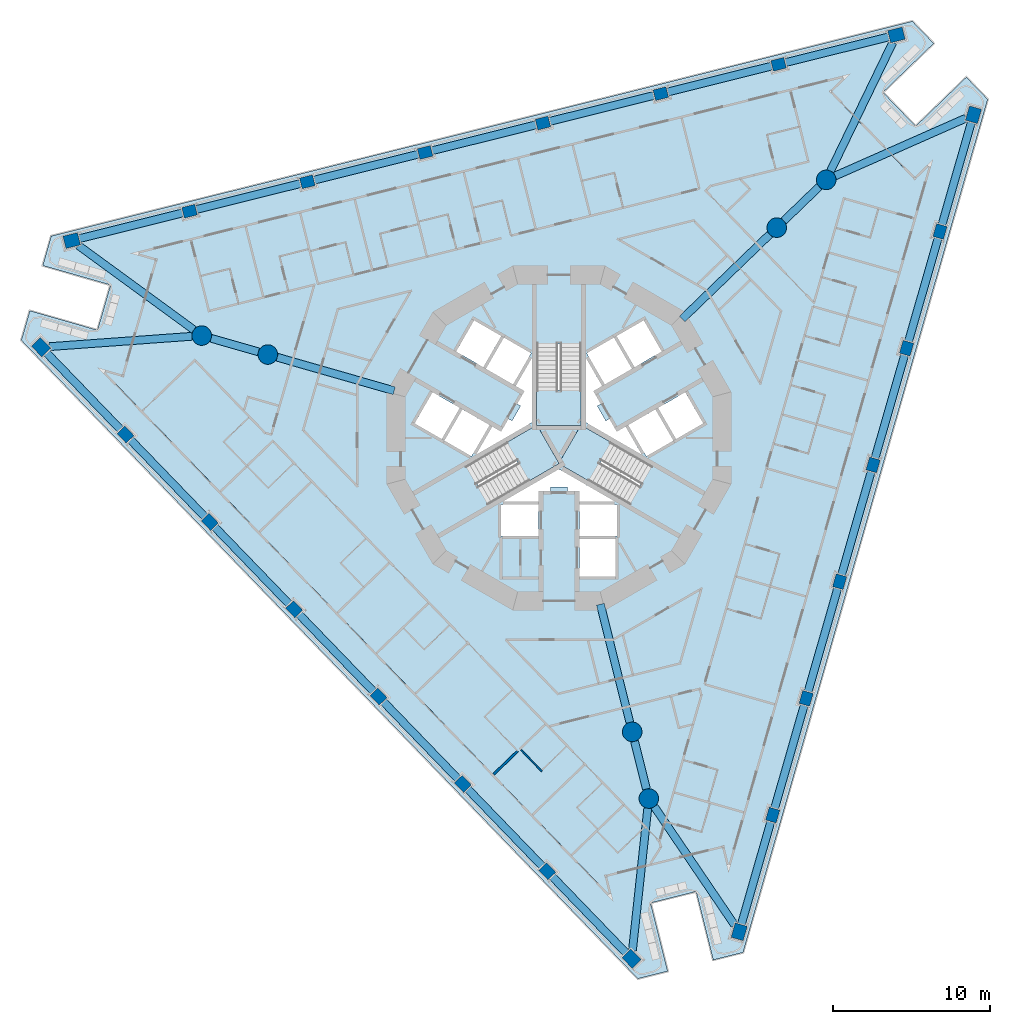
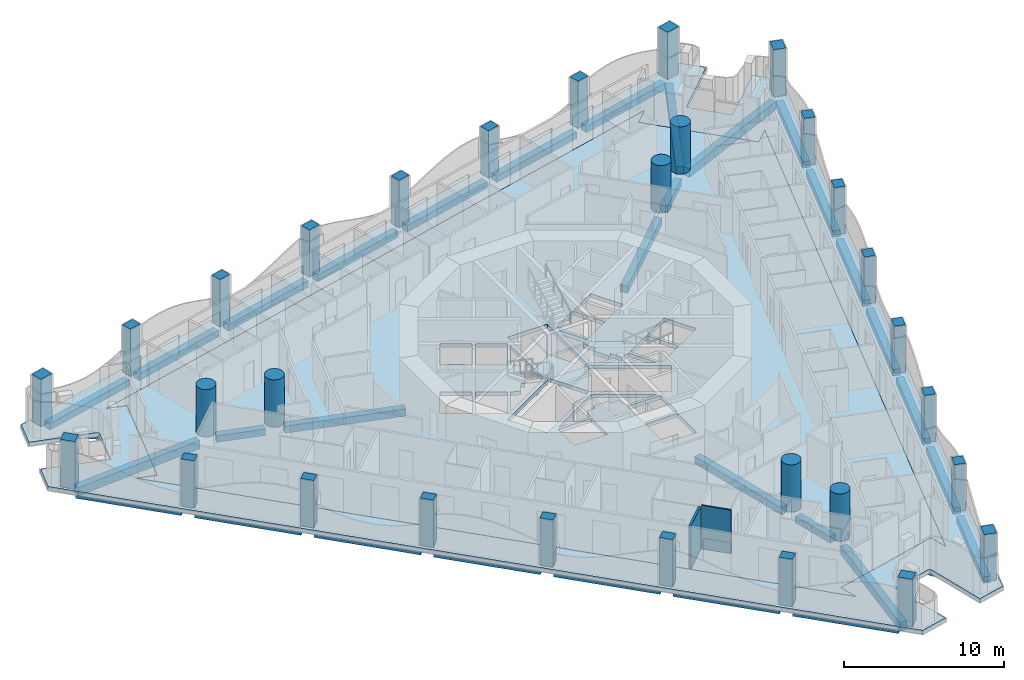
# One storey, part 1 of 20: 33 beams, 30 columns, 6 slabs, 2 walls, 3 elements without a shape of their own.
"""IFC4 building model written with IfcOpenShell, lengths in metres."""

from ifc_helpers import new_model, si_unit, direction, frame, frame_2d, origin, origin_2d, place, context, subcontext, project, spatial, polyline, rectangle, circle, outline, extrude, material, layer, layer_set, material_profile, profile_set, type_object, element, aggregate, save


model = new_model("IFC4")

# Units and contexts
model_context = context("Model", 3, precision=1e-05, world=origin(), true_north=direction((0.0, 1.0)))
body_context = subcontext(model_context, "Body", "Model", "MODEL_VIEW")
ifc_project = project(units=[si_unit("LENGTHUNIT", "METRE"), si_unit("AREAUNIT", "SQUARE_METRE"), si_unit("VOLUMEUNIT", "CUBIC_METRE"), si_unit("PLANEANGLEUNIT", "RADIAN"), si_unit("MASSUNIT", "GRAM", prefix="KILO")], contexts=[model_context])

# Site, building, storey
site_placement = place(None, origin())
site = spatial("IfcSite", under=ifc_project, at=site_placement, CompositionType="ELEMENT")
building_placement = place(site_placement, origin())
building = spatial("IfcBuilding", under=site, at=building_placement, Name="Trine Commons Tower", CompositionType="ELEMENT")
storey_placement = place(building_placement, frame((0.0, 0.0, 108.89990234375)))
storey = spatial("IfcBuildingStorey", under=building, at=storey_placement, Name="L27", CompositionType="ELEMENT", Elevation=108.89990234375)

# Columns
ifc_material_1 = material(Name="Concrete C70/85", Category="concrete")
ifc_material_profile_1 = material_profile(ifc_material_1, rectangle(XDim=0.85009765625, YDim=0.699951171875, at=origin_2d()), Name="RC 850x700")
ifc_profile_set_1 = profile_set([ifc_material_profile_1], Name="Concrete C70/85")
column_type_1 = type_object("IfcColumnType", Name="RC column 850x700, C70/85", PredefinedType="COLUMN", material=ifc_profile_set_1)
for number, where, z_axis, x_axis, name in (
    (1, (79.251708984375, 34.81640625, 0.0), (0.0, 0.0, 1.0), (-0.694658370459, 0.719339800339, 0.0), "Column PC3-02 L27"),
    (2, (73.86279296875, 40.396728515625, 0.0), (0.0, 0.0, 1.0), (-0.694658370459, 0.719339800339, 0.0), "Column PC3-03 L27"),
    (3, (68.473876953125, 45.977294921875, 0.0), (0.0, 0.0, 1.0), (-0.694658370459, 0.719339800339, 0.0), "Column PC3-04 L27"),
    (4, (63.0849609375, 51.5576171875, 0.0), (0.0, 0.0, 1.0), (-0.694658370459, 0.719339800339, 0.0), "Column PC3-05 L27"),
    (5, (57.696044921875, 57.137939453125, 0.0), (0.0, 0.0, 1.0), (-0.694658370459, 0.719339800339, 0.0), "Column PC3-06 L27"),
    (6, (52.30712890625, 62.71826171875, 0.0), (0.0, 0.0, 1.0), (-0.694658370459, 0.719339800339, 0.0), "Column PC3-07 L27"),
    (7, (56.3994140625, 76.98974609375, 0.0), (0.0, 0.0, 1.0), (0.970295726276, 0.2419218956, 0.0), "Column PC3-10 L27"),
    (8, (63.926513671875, 78.86669921875, 0.0), (0.0, 0.0, 1.0), (0.970295726276, 0.2419218956, 0.0), "Column PC3-11 L27"),
    (9, (71.453857421875, 80.743408203125, 0.0), (0.0, 0.0, 1.0), (0.970295726276, 0.2419218956, 0.0), "Column PC3-12 L27"),
    (10, (78.981201171875, 82.6201171875, 0.0), (0.0, 0.0, 1.0), (0.970295726276, 0.2419218956, 0.0), "Column PC3-13 L27"),
    (11, (86.50830078125, 84.496826171875, 0.0), (0.0, 0.0, 1.0), (0.970295726276, 0.2419218956, 0.0), "Column PC3-14 L27"),
    (12, (94.035400390625, 86.37353515625, 0.0), (0.0, 0.0, 1.0), (0.970295726276, 0.2419218956, 0.0), "Column PC3-15 L27"),
    (13, (104.348876953125, 75.69384765625, 0.0), (0.0, 0.0, 1.0), (0.275637355817, 0.961261695938, 0.0), "Column PC3-18 L27"),
    (14, (102.210693359375, 68.23681640625, 0.0), (0.0, 0.0, 1.0), (0.275637355817, 0.961261695938, 0.0), "Column PC3-19 L27"),
    (15, (100.072265625, 60.779541015625, 0.0), (0.0, 0.0, 1.0), (0.275637355817, 0.961261695938, 0.0), "Column PC3-20 L27"),
    (16, (97.93408203125, 53.322509765625, 0.0), (0.0, 0.0, 1.0), (0.275637355817, 0.961261695938, 0.0), "Column PC3-21 L27"),
    (17, (95.795654296875, 45.865234375, 0.0), (0.0, 0.0, 1.0), (0.275637355817, 0.961261695938, 0.0), "Column PC3-22 L27"),
    (18, (93.657470703125, 38.408203125, 0.0), (0.0, 0.0, 1.0), (0.275637355817, 0.961261695938, 0.0), "Column PC3-23 L27"),
):
    element("IfcColumn", number, at=place(storey_placement, frame(where, z_axis=z_axis, x_axis=x_axis)), inside=storey, type_object=column_type_1, Name=name, PredefinedType="COLUMN", context=body_context, shape_type="SweptSolid", body=[
        extrude(rectangle(XDim=0.85009765625, YDim=0.699951171875, at=origin_2d()), origin(), (0.0, 0.0, 1.0), 3.60009765625),
    ])
ifc_material_profile_2 = material_profile(ifc_material_1, rectangle(XDim=0.949951171875, YDim=0.800048828125, at=origin_2d()), Name="RC 950x800")
ifc_profile_set_2 = profile_set([ifc_material_profile_2], Name="Concrete C70/85")
column_type_2 = type_object("IfcColumnType", Name="RC column 950x800, C70/85", PredefinedType="COLUMN", material=ifc_profile_set_2)
for number, where, z_axis, x_axis, name in (
    (19, (84.640625, 29.236083984375, 0.0), (0.0, 0.0, 1.0), (-0.694658370459, 0.719339800339, 0.0), "Column PC3-01 L27"),
    (20, (46.918212890625, 68.298583984375, 0.0), (0.0, 0.0, 1.0), (-0.694658370459, 0.719339800339, 0.0), "Column PC3-08 L27"),
    (21, (48.872314453125, 75.113037109375, 0.0), (0.0, 0.0, 1.0), (0.970295726276, 0.2419218956, 0.0), "Column PC3-09 L27"),
    (22, (101.562744140625, 88.250244140625, 0.0), (0.0, 0.0, 1.0), (0.970295726276, 0.2419218956, 0.0), "Column PC3-16 L27"),
    (23, (106.4873046875, 83.15087890625, 0.0), (0.0, 0.0, 1.0), (0.275637355817, 0.961261695938, 0.0), "Column PC3-17 L27"),
    (24, (91.51904296875, 30.950927734375, 0.0), (0.0, 0.0, 1.0), (0.275637355817, 0.961261695938, 0.0), "Column PC3-24 L27"),
):
    element("IfcColumn", number, at=place(storey_placement, frame(where, z_axis=z_axis, x_axis=x_axis)), inside=storey, type_object=column_type_2, Name=name, PredefinedType="COLUMN", context=body_context, shape_type="SweptSolid", body=[
        extrude(rectangle(XDim=0.949951171875, YDim=0.800048828125, at=origin_2d()), origin(), (0.0, 0.0, 1.0), 3.60009765625),
    ])
ifc_material_profile_3 = material_profile(ifc_material_1, circle(Radius=0.625, at=origin_2d()), Name="RC round 1250")
ifc_profile_set_3 = profile_set([ifc_material_profile_3], Name="Concrete C70/85")
column_type_3 = type_object("IfcColumnType", Name="RC round column 1250 mm, C70/85", PredefinedType="COLUMN", material=ifc_profile_set_3)
for number, where, z_axis, x_axis, name in (
    (25, (84.6806640625, 43.726806640625, 0.0), (0.0, 0.0, 1.0), (1.0, 0.0, 0.0), "Column WC3-1 L27"),
    (26, (85.742919921875, 39.4658203125, 0.0), (0.0, 0.0, 1.0), (1.0, 0.0, 0.0), "Column WC3-2 L27"),
    (27, (93.917724609375, 75.940185546875, 0.0), (0.0, 0.0, 1.0), (1.0, 0.0, 0.0), "Column WC3-3 L27"),
    (28, (97.07666015625, 78.99072265625, 0.0), (0.0, 0.0, 1.0), (1.0, 0.0, 0.0), "Column WC3-4 L27"),
    (29, (61.401611328125, 67.8330078125, 0.0), (0.0, 0.0, 1.0), (1.0, 0.0, 0.0), "Column WC3-5 L27"),
    (30, (57.180419921875, 69.04345703125, 0.0), (0.0, 0.0, 1.0), (1.0, 0.0, 0.0), "Column WC3-6 L27"),
):
    element("IfcColumn", number, at=place(storey_placement, frame(where, z_axis=z_axis, x_axis=x_axis)), inside=storey, type_object=column_type_3, Name=name, PredefinedType="COLUMN", context=body_context, shape_type="SweptSolid", body=[
        extrude(circle(Radius=0.625, at=origin_2d()), origin(), (0.0, 0.0, 1.0), 3.60009765625),
    ])

# Beams
ifc_material_2 = material(Name="Concrete C50/60", Category="concrete")
ifc_material_profile_4 = material_profile(ifc_material_2, rectangle(XDim=0.5, YDim=0.5, at=origin_2d()), Name="RC 500x500")
ifc_profile_set_4 = profile_set([ifc_material_profile_4], Name="Concrete C50/60")
beam_type_1 = type_object("IfcBeamType", Name="RC beam 500x500, C50/60", PredefinedType="BEAM", material=ifc_profile_set_4)
beam_1_placement = place(storey_placement, frame((84.310791015625, 29.57763671875, -0.5498046875), z_axis=(-0.694663760793, 0.719334594915, 0.0), x_axis=(-0.719334594915, -0.694663760793, 0.0)))
element("IfcBeam", 31, at=beam_1_placement, inside=storey, type_object=beam_type_1, Name="Beam EB3-01 L27", PredefinedType="BEAM", context=body_context, shape_type="SweptSolid", body=[
    extrude(rectangle(XDim=0.5, YDim=0.5, at=origin_2d()), origin(), (0.0, 0.0, 1.0), 6.85791015625),
])
for number, where, z_axis, x_axis, name in (
    (32, (78.95654296875, 35.1220703125, -0.5498046875), (-0.694664521959, 0.719333859854, 0.0), (-0.719333859854, -0.694664521959, 0.0), "Beam EB3-02 L27"),
    (33, (73.567626953125, 40.702392578125, -0.5498046875), (-0.694664521959, 0.719333859854, 0.0), (-0.719333859854, -0.694664521959, 0.0), "Beam EB3-03 L27"),
    (34, (68.1787109375, 46.282958984375, -0.5498046875), (-0.694664521959, 0.719333859854, 0.0), (-0.719333859854, -0.694664521959, 0.0), "Beam EB3-04 L27"),
    (35, (62.789794921875, 51.86328125, -0.5498046875), (-0.694664521959, 0.719333859854, 0.0), (-0.719333859854, -0.694664521959, 0.0), "Beam EB3-05 L27"),
    (36, (57.40087890625, 57.443603515625, -0.5498046875), (-0.694664521959, 0.719333859854, 0.0), (-0.719333859854, -0.694664521959, 0.0), "Beam EB3-06 L27"),
):
    element("IfcBeam", number, at=place(storey_placement, frame(where, z_axis=z_axis, x_axis=x_axis)), inside=storey, type_object=beam_type_1, Name=name, PredefinedType="BEAM", context=body_context, shape_type="SweptSolid", body=[
        extrude(rectangle(XDim=0.5, YDim=0.5, at=origin_2d()), origin(), (0.0, 0.0, 1.0), 6.90771484375),
    ])
for number, where, z_axis, x_axis, name in (
    (37, (52.011962890625, 63.02392578125, -0.5498046875), (-0.694645339139, 0.71935238431, 0.0), (-0.71935238431, -0.694645339139, 0.0), "Beam EB3-07 L27"),
    (38, (49.3330078125, 75.22802734375, -0.5498046875), (0.970299359004, 0.241907325057, 0.0), (-0.241907325057, 0.970299359004, 0.0), "Beam EB3-08 L27"),
):
    element("IfcBeam", number, at=place(storey_placement, frame(where, z_axis=z_axis, x_axis=x_axis)), inside=storey, type_object=beam_type_1, Name=name, PredefinedType="BEAM", context=body_context, shape_type="SweptSolid", body=[
        extrude(rectangle(XDim=0.5, YDim=0.5, at=origin_2d()), origin(), (0.0, 0.0, 1.0), 6.857666015625),
    ])
beam_2_placement = place(storey_placement, frame((56.811767578125, 77.092529296875, -0.5498046875), z_axis=(0.970285783578, 0.241961770093, 0.0), x_axis=(-0.241961770093, 0.970285783578, 0.0)))
element("IfcBeam", 39, at=beam_2_placement, inside=storey, type_object=beam_type_1, Name="Beam EB3-09 L27", PredefinedType="BEAM", context=body_context, shape_type="SweptSolid", body=[
    extrude(rectangle(XDim=0.5, YDim=0.5, at=origin_2d()), origin(), (0.0, 0.0, 1.0), 6.90771484375),
])
for number, where, z_axis, x_axis, name in (
    (40, (64.339111328125, 78.969482421875, -0.5498046875), (0.970302376924, 0.241895219745, 0.0), (-0.241895219745, 0.970302376924, 0.0), "Beam EB3-10 L27"),
    (41, (71.8662109375, 80.84619140625, -0.5498046875), (0.970294080751, 0.241928495346, 0.0), (-0.241928495346, 0.970294080751, 0.0), "Beam EB3-11 L27"),
    (42, (79.3935546875, 82.722900390625, -0.5498046875), (0.970294080751, 0.241928495346, 0.0), (-0.241928495346, 0.970294080751, 0.0), "Beam EB3-12 L27"),
    (43, (86.920654296875, 84.599609375, -0.5498046875), (0.970294080751, 0.241928495346, 0.0), (-0.241928495346, 0.970294080751, 0.0), "Beam EB3-13 L27"),
):
    element("IfcBeam", number, at=place(storey_placement, frame(where, z_axis=z_axis, x_axis=x_axis)), inside=storey, type_object=beam_type_1, Name=name, PredefinedType="BEAM", context=body_context, shape_type="SweptSolid", body=[
        extrude(rectangle(XDim=0.5, YDim=0.5, at=origin_2d()), origin(), (0.0, 0.0, 1.0), 6.907470703125),
    ])
for number, where, z_axis, x_axis, name in (
    (44, (94.447998046875, 86.476318359375, -0.5498046875), (0.970288918196, 0.241949199679, 0.0), (-0.241949199679, 0.970288918196, 0.0), "Beam EB3-14 L27"),
    (45, (106.356201171875, 82.6943359375, -0.5498046875), (-0.275623797229, -0.961265583697, 0.0), (0.961265583697, -0.275623797229, 0.0), "Beam EB3-15 L27"),
):
    element("IfcBeam", number, at=place(storey_placement, frame(where, z_axis=z_axis, x_axis=x_axis)), inside=storey, type_object=beam_type_1, Name=name, PredefinedType="BEAM", context=body_context, shape_type="SweptSolid", body=[
        extrude(rectangle(XDim=0.5, YDim=0.5, at=origin_2d()), origin(), (0.0, 0.0, 1.0), 6.857666015625),
    ])
for number, where, z_axis, x_axis, name in (
    (46, (104.231689453125, 75.285400390625, -0.5498046875), (-0.275640588881, -0.961260768866, 0.0), (0.961260768866, -0.275640588881, 0.0), "Beam EB3-16 L27"),
    (47, (102.093505859375, 67.828125, -0.5498046875), (-0.275640588881, -0.961260768866, 0.0), (0.961260768866, -0.275640588881, 0.0), "Beam EB3-17 L27"),
    (48, (99.955078125, 60.37109375, -0.5498046875), (-0.275640588881, -0.961260768866, 0.0), (0.961260768866, -0.275640588881, 0.0), "Beam EB3-18 L27"),
    (49, (97.81689453125, 52.913818359375, -0.5498046875), (-0.275640588881, -0.961260768866, 0.0), (0.961260768866, -0.275640588881, 0.0), "Beam EB3-19 L27"),
    (50, (95.6787109375, 45.456787109375, -0.5498046875), (-0.275673246186, -0.961251403816, 0.0), (0.961251403816, -0.275673246186, 0.0), "Beam EB3-20 L27"),
):
    element("IfcBeam", number, at=place(storey_placement, frame(where, z_axis=z_axis, x_axis=x_axis)), inside=storey, type_object=beam_type_1, Name=name, PredefinedType="BEAM", context=body_context, shape_type="SweptSolid", body=[
        extrude(rectangle(XDim=0.5, YDim=0.5, at=origin_2d()), origin(), (0.0, 0.0, 1.0), 6.90771484375),
    ])
beam_3_placement = place(storey_placement, frame((93.540283203125, 37.99951171875, -0.5498046875), z_axis=(-0.275666126975, -0.961253445476, 0.0), x_axis=(0.961253445476, -0.275666126975, 0.0)))
element("IfcBeam", 51, at=beam_3_placement, inside=storey, type_object=beam_type_1, Name="Beam EB3-21 L27", PredefinedType="BEAM", context=body_context, shape_type="SweptSolid", body=[
    extrude(rectangle(XDim=0.5, YDim=0.5, at=origin_2d()), origin(), (0.0, 0.0, 1.0), 6.857421875),
])
beam_4_placement = place(storey_placement, frame((84.831787109375, 43.12109375, -0.5498046875), z_axis=(0.241895853777, -0.97030221886, 0.0), x_axis=(0.97030221886, 0.241895853777, 0.0)))
element("IfcBeam", 52, at=beam_4_placement, inside=storey, type_object=beam_type_1, Name="Beam RB3-02 L27", PredefinedType="BEAM", context=body_context, shape_type="SweptSolid", body=[
    extrude(rectangle(XDim=0.5, YDim=0.5, at=origin_2d()), origin(), (0.0, 0.0, 1.0), 3.142822265625),
])
beam_5_placement = place(storey_placement, frame((94.366943359375, 76.3740234375, -0.5498046875), z_axis=(0.719314434863, 0.694684636218, 0.0), x_axis=(-0.694684636218, 0.719314434863, 0.0)))
element("IfcBeam", 53, at=beam_5_placement, inside=storey, type_object=beam_type_1, Name="Beam RB3-04 L27", PredefinedType="BEAM", context=body_context, shape_type="SweptSolid", body=[
    extrude(rectangle(XDim=0.5, YDim=0.5, at=origin_2d()), origin(), (0.0, 0.0, 1.0), 3.142333984375),
])
beam_6_placement = place(storey_placement, frame((60.80126953125, 68.005126953125, -0.5498046875), z_axis=(-0.961274333375, 0.275593280026, 0.0), x_axis=(-0.275593280026, -0.961274333375, 0.0)))
element("IfcBeam", 54, at=beam_6_placement, inside=storey, type_object=beam_type_1, Name="Beam RB3-06 L27", PredefinedType="BEAM", context=body_context, shape_type="SweptSolid", body=[
    extrude(rectangle(XDim=0.5, YDim=0.5, at=origin_2d()), origin(), (0.0, 0.0, 1.0), 3.14208984375),
])
ifc_material_profile_5 = material_profile(ifc_material_2, rectangle(XDim=0.5, YDim=0.550048828125, at=origin_2d()), Name="RC 500x550")
ifc_profile_set_5 = profile_set([ifc_material_profile_5], Name="Concrete C50/60")
beam_type_2 = type_object("IfcBeamType", Name="RC beam 500x550, C50/60", PredefinedType="BEAM", material=ifc_profile_set_5)
beam_7_placement = place(storey_placement, frame((82.648681640625, 51.876708984375, -0.574951171875), z_axis=(0.241937131507, -0.970291927411, 0.0), x_axis=(0.970291927411, 0.241937131507, 0.0)))
element("IfcBeam", 55, at=beam_7_placement, inside=storey, type_object=beam_type_2, Name="Beam RB3-01 L27", PredefinedType="BEAM", context=body_context, shape_type="SweptSolid", body=[
    extrude(rectangle(XDim=0.5, YDim=0.550048828125, at=origin_2d()), origin(), (0.0, 0.0, 1.0), 7.775146484375),
])
beam_8_placement = place(storey_placement, frame((87.875732421875, 70.105712890625, -0.574951171875), z_axis=(0.719355467287, 0.694642146493, 0.0), x_axis=(-0.694642146493, 0.719355467287, 0.0)))
element("IfcBeam", 56, at=beam_8_placement, inside=storey, type_object=beam_type_2, Name="Beam RB3-03 L27", PredefinedType="BEAM", context=body_context, shape_type="SweptSolid", body=[
    extrude(rectangle(XDim=0.5, YDim=0.550048828125, at=origin_2d()), origin(), (0.0, 0.0, 1.0), 7.774658203125),
])
beam_9_placement = place(storey_placement, frame((69.4755859375, 65.517822265625, -0.574951171875), z_axis=(-0.961260445822, 0.275641715452, 0.0), x_axis=(-0.275641715452, -0.961260445822, 0.0)))
element("IfcBeam", 57, at=beam_9_placement, inside=storey, type_object=beam_type_2, Name="Beam RB3-05 L27", PredefinedType="BEAM", context=body_context, shape_type="SweptSolid", body=[
    extrude(rectangle(XDim=0.5, YDim=0.550048828125, at=origin_2d()), origin(), (0.0, 0.0, 1.0), 7.77490234375),
])
ifc_material_profile_6 = material_profile(ifc_material_2, rectangle(XDim=0.5, YDim=0.64990234375, at=origin_2d()), Name="RC 500x650")
ifc_profile_set_6 = profile_set([ifc_material_profile_6], Name="Concrete C50/60")
beam_type_3 = type_object("IfcBeamType", Name="RC beam 500x650, C50/60", PredefinedType="BEAM", material=ifc_profile_set_6)
for number, where, z_axis, x_axis, name in (
    (58, (47.437744140625, 68.33642578125, -0.625), (0.997376868149, 0.07238358157, 0.0), (-0.07238358157, 0.997376868149, 0.0), "Beam CB3-01 L27"),
    (59, (49.29296875, 74.8056640625, -0.625), (0.807466452888, -0.589913491506, 0.0), (0.589913491506, 0.807466452888, 0.0), "Beam CB3-02 L27"),
    (60, (101.33544921875, 87.781494140625, -0.625), (-0.435985897384, -0.899953497289, 0.0), (0.899953497289, -0.435985897384, 0.0), "Beam CB3-03 L27"),
    (61, (106.0107421875, 82.940185546875, -0.625), (-0.914616807383, -0.404321772419, 0.0), (0.404321772419, -0.914616807383, 0.0), "Beam CB3-04 L27"),
):
    element("IfcBeam", number, at=place(storey_placement, frame(where, z_axis=z_axis, x_axis=x_axis)), inside=storey, type_object=beam_type_3, Name=name, PredefinedType="BEAM", context=body_context, shape_type="SweptSolid", body=[
        extrude(rectangle(XDim=0.5, YDim=0.64990234375, at=origin_2d()), origin(), (0.0, 0.0, 1.0), 9.143798828125),
    ])
beam_10_placement = place(storey_placement, frame((91.2265625, 31.382080078125, -0.625), z_axis=(-0.561374083617, 0.827562165788, 0.0), x_axis=(-0.827562165788, -0.561374083617, 0.0)))
element("IfcBeam", 62, at=beam_10_placement, inside=storey, type_object=beam_type_3, Name="Beam CB3-05 L27", PredefinedType="BEAM", context=body_context, shape_type="SweptSolid", body=[
    extrude(rectangle(XDim=0.5, YDim=0.64990234375, at=origin_2d()), origin(), (0.0, 0.0, 1.0), 9.143310546875),
])
beam_11_placement = place(storey_placement, frame((84.696533203125, 29.75390625, -0.625), z_axis=(0.107125177559, 0.994245541269, 0.0), x_axis=(-0.994245541269, 0.107125177559, 0.0)))
element("IfcBeam", 63, at=beam_11_placement, inside=storey, type_object=beam_type_3, Name="Beam CB3-06 L27", PredefinedType="BEAM", context=body_context, shape_type="SweptSolid", body=[
    extrude(rectangle(XDim=0.5, YDim=0.64990234375, at=origin_2d()), origin(), (0.0, 0.0, 1.0), 9.1435546875),
])

# Slabs
ifc_layer_1 = layer(ifc_material_2, 0.300048828125)
ifc_layer_set_1 = layer_set([ifc_layer_1], Name="Concrete C50/60")
slab_type_1 = type_object("IfcSlabType", Name="Loggia slab 300 mm, C50/60", PredefinedType="FLOOR", material=ifc_layer_set_1)
slab_1_placement = place(storey_placement, frame((0.0, 0.0, -0.2998046875)))
element("IfcSlab", 64, at=slab_1_placement, inside=storey, type_object=slab_type_1, Name="Loggia slab L27", PredefinedType="FLOOR", context=body_context, shape_type="SweptSolid", body=[
    extrude(outline(polyline([(91.764892578125, 29.632080078125), (107.394775390625, 84.13916015625), (106.0302734375, 85.552001953125), (102.793212890625, 82.426025390625), (100.709228515625, 84.583984375), (103.9462890625, 87.7099609375), (102.581787109375, 89.122802734375), (47.562744140625, 75.405029296875), (47.021240234375, 73.516845703125), (51.346923828125, 72.276611328125), (50.52001953125, 69.392822265625), (46.1943359375, 70.63330078125), (45.653076171875, 68.7451171875), (85.04248046875, 27.9560546875), (86.948486328125, 28.43115234375), (85.85986328125, 32.797607421875), (88.7705078125, 33.523193359375), (89.859375, 29.156982421875), (91.764892578125, 29.632080078125)]), holes=[polyline([(83.27587890625, 33.240478515625), (82.950439453125, 34.545654296875), (90.518798828125, 36.4326171875), (90.843994140625, 35.12744140625), (103.701416015625, 79.966796875), (102.73388671875, 79.032470703125), (97.315673828125, 84.643310546875), (98.283203125, 85.577392578125), (53.022705078125, 74.292724609375), (54.3154296875, 73.922119140625), (52.16552734375, 66.42431640625), (50.872802734375, 66.794921875), (83.27587890625, 33.240478515625)])]), origin(), (0.0, 0.0, 1.0), 0.2998046875),
])
ifc_layer_2 = layer(ifc_material_2, 0.300048828125)
ifc_layer_set_2 = layer_set([ifc_layer_2], Name="Concrete C50/60")
slab_type_2 = type_object("IfcSlabType", Name="PT flat slab 300 mm, C50/60", PredefinedType="FLOOR", material=ifc_layer_set_2)
slab_2_placement = place(storey_placement, frame((0.0, 0.0, -0.2998046875)))
element("IfcSlab", 65, at=slab_2_placement, inside=storey, type_object=slab_type_2, Name="Floor slab L27", PredefinedType="FLOOR", context=body_context, shape_type="SweptSolid", body=[
    extrude(outline(polyline([(50.872802734375, 66.794921875), (83.27587890625, 33.240478515625), (82.950439453125, 34.545654296875), (90.518798828125, 36.4326171875), (90.843994140625, 35.12744140625), (103.701416015625, 79.966796875), (102.73388671875, 79.032470703125), (97.315673828125, 84.643310546875), (98.283203125, 85.577392578125), (53.022705078125, 74.292724609375), (54.3154296875, 73.922119140625), (52.16552734375, 66.42431640625), (50.872802734375, 66.794921875)]), holes=[polyline([(76.300048828125, 56.25), (78.699951171875, 56.25), (78.699951171875, 58.25), (76.300048828125, 58.25), (76.300048828125, 56.25)]), polyline([(81.14990234375, 59.10009765625), (81.300048828125, 58.449951171875), (83.56494140625, 58.449951171875), (80.0, 60.508056640625), (76.43505859375, 58.449951171875), (78.699951171875, 58.449951171875), (78.85009765625, 59.10009765625), (79.449951171875, 59.10009765625), (79.449951171875, 59.360107421875), (80.550048828125, 59.360107421875), (80.550048828125, 59.10009765625), (81.14990234375, 59.10009765625)]), polyline([(80.0, 60.8544921875), (84.4755859375, 58.2705078125), (85.900390625, 60.73876953125), (81.425048828125, 63.32275390625), (81.425048828125, 68.490478515625), (78.574951171875, 68.490478515625), (78.574951171875, 63.32275390625), (74.099609375, 60.73876953125), (75.5244140625, 58.2705078125), (80.0, 60.8544921875)]), polyline([(73.83740234375, 64.325927734375), (72.687255859375, 62.333984375), (74.41943359375, 61.333984375), (75.5693359375, 63.325927734375), (73.83740234375, 64.325927734375)]), polyline([(71.93212890625, 65.426025390625), (70.781982421875, 63.43408203125), (72.51416015625, 62.43408203125), (73.6640625, 64.426025390625), (71.93212890625, 65.426025390625)]), polyline([(76.781005859375, 63.722900390625), (76.381103515625, 63.031005859375), (75.742919921875, 63.22607421875), (74.7099609375, 61.43798828125), (78.27490234375, 63.49609375), (78.27490234375, 67.612060546875), (77.242919921875, 65.823974609375), (77.73095703125, 65.368896484375), (77.3310546875, 64.676025390625), (77.555908203125, 64.5458984375), (77.006103515625, 63.593994140625), (76.781005859375, 63.722900390625)]), polyline([(76.4873046875, 68.916015625), (75.33740234375, 66.924072265625), (77.0693359375, 65.924072265625), (78.219482421875, 67.916015625), (76.4873046875, 68.916015625)]), polyline([(74.58203125, 70.015869140625), (73.43212890625, 68.02392578125), (75.1640625, 67.02392578125), (76.314208984375, 69.015869140625), (74.58203125, 70.015869140625)]), polyline([(81.300048828125, 53.64990234375), (83.60009765625, 53.64990234375), (83.60009765625, 56.050048828125), (81.300048828125, 56.050048828125), (81.300048828125, 53.64990234375)]), polyline([(81.300048828125, 56.25), (83.699951171875, 56.25), (83.699951171875, 58.25), (81.300048828125, 58.25), (81.300048828125, 56.25)]), polyline([(87.312744140625, 62.333984375), (86.16259765625, 64.325927734375), (84.4306640625, 63.325927734375), (85.58056640625, 61.333984375), (87.312744140625, 62.333984375)]), polyline([(89.218017578125, 63.43408203125), (88.06787109375, 65.426025390625), (86.3359375, 64.426025390625), (87.48583984375, 62.43408203125), (89.218017578125, 63.43408203125)]), polyline([(83.243896484375, 63.738037109375), (82.993896484375, 63.593994140625), (82.444091796875, 64.5458984375), (82.72705078125, 64.7099609375), (82.281005859375, 65.549072265625), (82.757080078125, 65.823974609375), (81.72509765625, 67.612060546875), (81.72509765625, 63.49609375), (85.2900390625, 61.43798828125), (84.257080078125, 63.22607421875), (83.618896484375, 63.031005859375), (83.243896484375, 63.738037109375)]), polyline([(82.9306640625, 65.924072265625), (84.66259765625, 66.924072265625), (83.5126953125, 68.916015625), (81.780517578125, 67.916015625), (82.9306640625, 65.924072265625)]), polyline([(84.8359375, 67.02392578125), (86.56787109375, 68.02392578125), (85.41796875, 70.015869140625), (83.685791015625, 69.015869140625), (84.8359375, 67.02392578125)])]), origin(), (0.0, 0.0, 1.0), 0.2998046875),
])
slab_3_placement = place(storey_placement, frame((0.0, 0.0, -0.2998046875)))
element("IfcSlab", 66, at=slab_3_placement, inside=storey, type_object=slab_type_2, Name="Floor slab L27 2", PredefinedType="FLOOR", context=body_context, shape_type="SweptSolid", body=[
    extrude(outline(polyline([(78.61328125, 63.300537109375), (80.0, 60.89892578125), (81.38671875, 63.300537109375), (78.61328125, 63.300537109375)])), origin(), (0.0, 0.0, 1.0), 0.2998046875),
])

# Stair, slab
stair_type = type_object("IfcStairType", Name="Exit stair, dog-leg, 24 risers of 150 mm", PredefinedType="HALF_TURN_STAIR", material=ifc_material_2)
stair_1_placement = place(storey_placement, origin())
stair_1 = element("IfcStair", 67, at=stair_1_placement, inside=storey, type_object=stair_type, Name="L27 Exit stair ST1A", PredefinedType="HALF_TURN_STAIR")
ifc_layer_3 = layer(ifc_material_2, 0.199951171875)
ifc_layer_set_3 = layer_set([ifc_layer_3], Name="Concrete C50/60")
slab_type_3 = type_object("IfcSlabType", Name="Stair landing slab 200 mm, C50/60", PredefinedType="LANDING", material=ifc_layer_set_3)
slab_4_placement = place(storey_placement, frame((0.0, 0.0, 1.60009765625)))
slab_4 = element("IfcSlab", 68, at=slab_4_placement, type_object=slab_type_3, Name="ST1A landing 1", PredefinedType="LANDING", context=body_context, shape_type="SweptSolid", body=[
    extrude(outline(polyline([(78.574951171875, 65.570556640625), (78.574951171875, 63.300537109375), (81.425048828125, 63.300537109375), (81.425048828125, 65.570556640625), (78.574951171875, 65.570556640625)])), origin(), (0.0, 0.0, 1.0), 0.199951171875),
])
aggregate(stair_1, [slab_4])

stair_2_placement = place(storey_placement, origin())
stair_2 = element("IfcStair", 69, at=stair_2_placement, inside=storey, type_object=stair_type, Name="L27 Exit stair ST2A", PredefinedType="HALF_TURN_STAIR")
slab_5_placement = place(storey_placement, frame((0.0, 0.0, 1.60009765625)))
slab_5 = element("IfcSlab", 70, at=slab_5_placement, type_object=slab_type_3, Name="ST2A landing 1", PredefinedType="LANDING", context=body_context, shape_type="SweptSolid", body=[
    extrude(outline(polyline([(78.05322265625, 59.730712890625), (80.019287109375, 60.86572265625), (78.59423828125, 63.333740234375), (76.628173828125, 62.19873046875), (78.05322265625, 59.730712890625)])), origin(), (0.0, 0.0, 1.0), 0.199951171875),
])
aggregate(stair_2, [slab_5])

stair_3_placement = place(storey_placement, origin())
stair_3 = element("IfcStair", 71, at=stair_3_placement, inside=storey, type_object=stair_type, Name="L27 Exit stair ST3A", PredefinedType="HALF_TURN_STAIR")
slab_6_placement = place(storey_placement, frame((0.0, 0.0, 1.60009765625)))
slab_6 = element("IfcSlab", 72, at=slab_6_placement, type_object=slab_type_3, Name="ST3A landing 1", PredefinedType="LANDING", context=body_context, shape_type="SweptSolid", body=[
    extrude(outline(polyline([(83.371826171875, 62.19873046875), (81.40576171875, 63.333740234375), (79.980712890625, 60.86572265625), (81.94677734375, 59.730712890625), (83.371826171875, 62.19873046875)])), origin(), (0.0, 0.0, 1.0), 0.199951171875),
])
aggregate(stair_3, [slab_6])

# Walls
ifc_material_3 = material(Name="Gypsum plasterboard on steel stud", Category="steel")
ifc_layer_4 = layer(ifc_material_3, 0.14990234375)
ifc_layer_set_4 = layer_set([ifc_layer_4], Name="Gypsum plasterboard on steel stud")
wall_type_1 = type_object("IfcWallType", Name="Unit and corridor wall 150 mm, EI 60", PredefinedType="PARTITIONING", material=ifc_layer_set_4)
wall_1_placement = place(storey_placement, frame((75.826904296875, 41.01171875, 0.0), z_axis=(0.0, 0.0, 1.0), x_axis=(0.719477704354, 0.694515538298, 0.0)))
element("IfcWall", 73, at=wall_1_placement, inside=storey, type_object=wall_type_1, Name="Partition 058", PredefinedType="PARTITIONING", context=body_context, shape_type="SweptSolid", body=[
    extrude(rectangle(XDim=2.151611328125, YDim=0.14990234375, at=frame_2d((1.07568359375, 0.0))), origin(), (0.0, 0.0, 1.0), 3.300048828125),
])
ifc_layer_5 = layer(ifc_material_3, 0.10009765625)
ifc_layer_set_5 = layer_set([ifc_layer_5], Name="Gypsum plasterboard on steel stud")
wall_type_2 = type_object("IfcWallType", Name="Unit partition 100 mm, no rating", PredefinedType="PARTITIONING", material=ifc_layer_set_5)
wall_2_placement = place(storey_placement, frame((77.568115234375, 42.589111328125, 0.0), z_axis=(0.0, 0.0, 1.0), x_axis=(0.694438310909, -0.719552244345, 0.0)))
element("IfcWall", 74, at=wall_2_placement, inside=storey, type_object=wall_type_2, Name="Partition 064", PredefinedType="PARTITIONING", context=body_context, shape_type="SweptSolid", body=[
    extrude(rectangle(XDim=1.9248046875, YDim=0.10009765625, at=frame_2d((0.96240234375, 0.0))), origin(), (0.0, 0.0, 1.0), 3.300048828125),
])

save(model, "model.ifc")
